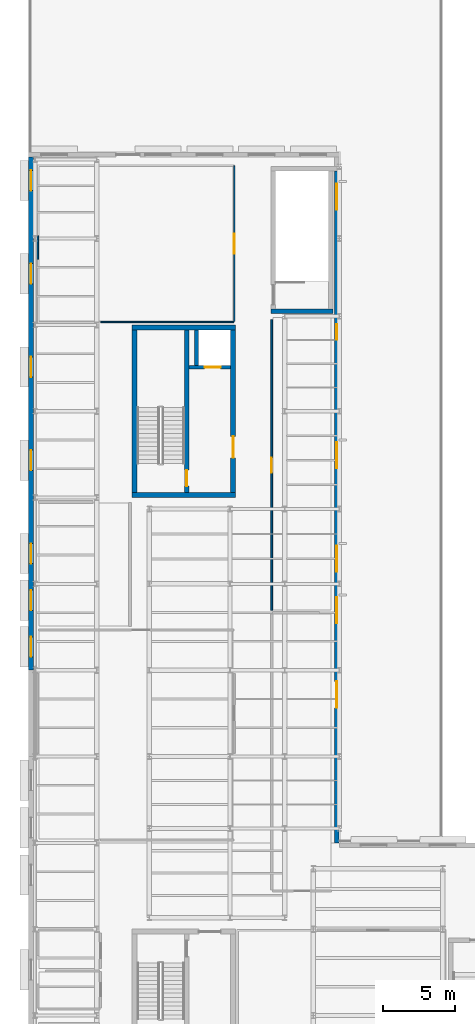
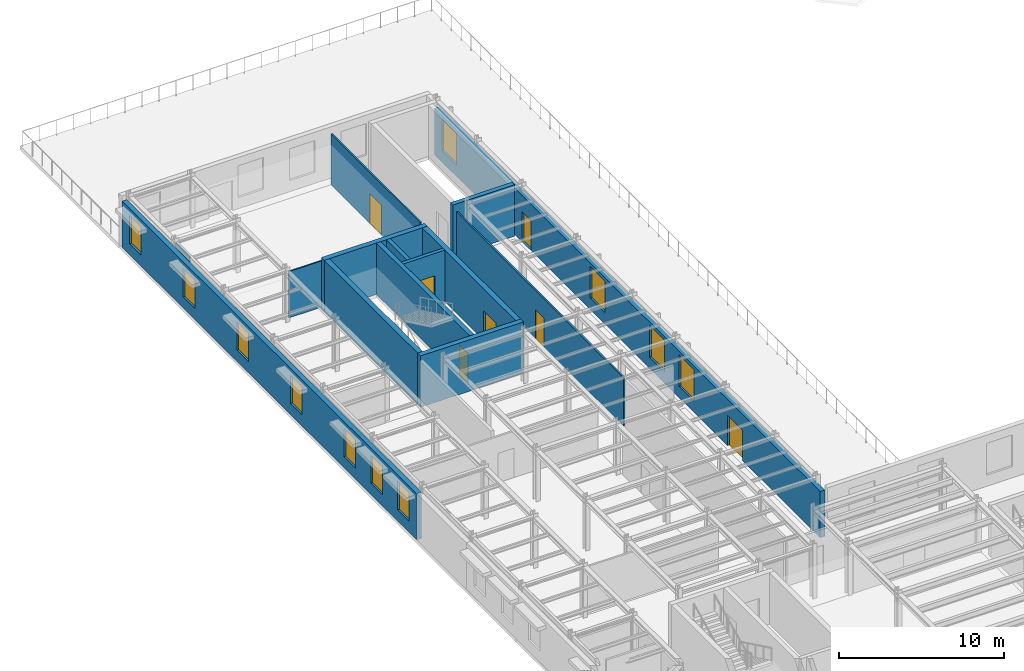
# One storey, part 6 of 13: 14 walls, 11 windows, 7 doors, 18 openings.
"""IFC4 building model written with IfcOpenShell, lengths in metres."""

from ifc_helpers import new_model, si_unit, direction, frame, frame_2d, origin, place, context, subcontext, project, spatial, rectangle, extrude, material, layer, layer_set, type_object, element, fill, save


model = new_model("IFC4")

# Units and contexts
model_context = context("Model", 3, precision=1e-05, world=origin(), true_north=direction((0.0, 1.0)))
body_context = subcontext(model_context, "Body", "Model", "MODEL_VIEW")
ifc_project = project(units=[si_unit("LENGTHUNIT", "METRE"), si_unit("AREAUNIT", "SQUARE_METRE"), si_unit("VOLUMEUNIT", "CUBIC_METRE"), si_unit("PLANEANGLEUNIT", "RADIAN"), si_unit("MASSUNIT", "GRAM", prefix="KILO")], contexts=[model_context])

# Site, building, storey
site_placement = place(None, origin())
site = spatial("IfcSite", under=ifc_project, at=site_placement, CompositionType="ELEMENT")
building_placement = place(site_placement, origin())
building = spatial("IfcBuilding", under=site, at=building_placement, Name="Kolvaren Corner Interchange", CompositionType="ELEMENT")
storey_placement = place(building_placement, frame((0.0, 0.0, 14.699951171875)))
storey = spatial("IfcBuildingStorey", under=building, at=storey_placement, Name="L04", CompositionType="ELEMENT", Elevation=14.699951171875)

# Walls
ifc_material_1 = material(Name="Concrete C35/45", Category="concrete")
ifc_layer_1 = layer(ifc_material_1, 0.35009765625)
ifc_layer_set_1 = layer_set([ifc_layer_1], Name="Concrete C35/45")
wall_type_1 = type_object("IfcWallType", Name="WL-CORE-350", PredefinedType="SHEAR", material=ifc_layer_set_1)
for number, where, z_axis, x_axis, name in (
    (1, (7.199951171875, 48.175048828125, 0.0), (0.0, 0.0, 1.0), (1.0, 0.0, 0.0), "Core C2 L04 South Shear Wall"),
    (2, (7.199951171875, 59.824951171875, 0.0), (0.0, 0.0, 1.0), (1.0, 0.0, 0.0), "Core C2 L04 North Shear Wall"),
):
    element("IfcWall", number, at=place(storey_placement, frame(where, z_axis=z_axis, x_axis=x_axis)), inside=storey, type_object=wall_type_1, Name=name, PredefinedType="SHEAR", context=body_context, shape_type="SweptSolid", body=[
        extrude(rectangle(XDim=7.199951171875, YDim=0.35009765625, at=frame_2d((3.60009765625, 0.0))), origin(), (0.0, 0.0, 1.0), 3.800048828125),
    ])
wall_1_placement = place(storey_placement, frame((7.375, 48.35009765625, 0.0), z_axis=(0.0, 0.0, 1.0), x_axis=(0.0, 1.0, 0.0)))
element("IfcWall", 3, at=wall_1_placement, inside=storey, type_object=wall_type_1, Name="Core C2 L04 West Shear Wall", PredefinedType="SHEAR", context=body_context, shape_type="SweptSolid", body=[
    extrude(rectangle(XDim=11.2998046875, YDim=0.35009765625, at=frame_2d((5.64990234375, 0.0))), origin(), (0.0, 0.0, 1.0), 3.800048828125),
])

# Wall, opening, door
wall_2_placement = place(storey_placement, frame((14.22509765625, 48.35009765625, 0.0), z_axis=(0.0, 0.0, 1.0), x_axis=(0.0, 1.0, 0.0)))
wall_2 = element("IfcWall", 4, at=wall_2_placement, inside=storey, type_object=wall_type_1, Name="Core C2 L04 East Shear Wall", PredefinedType="SHEAR", context=body_context, shape_type="SweptSolid", body=[
    extrude(rectangle(XDim=11.2998046875, YDim=0.35009765625, at=frame_2d((5.64990234375, 0.0))), origin(), (0.0, 0.0, 1.0), 3.800048828125),
])
opening_1_placement = place(wall_2_placement, frame((2.39990234375, 0.0, 0.0)))
opening_1 = element("IfcOpeningElement", 5, at=opening_1_placement, cuts=wall_2, Name="Opening D-F02", PredefinedType="OPENING", context=body_context, shape_type="SweptSolid", body=[
    extrude(rectangle(XDim=1.5, YDim=2.14990234375, at=frame_2d((0.75, 1.074951171875))), frame((0.0, 0.18505859375, 0.0), z_axis=(0.0, -1.0, 0.0), x_axis=(1.0, 0.0, 0.0)), (0.0, 0.0, 1.0), 0.3701171875),
])
ifc_material_2 = material(Name="Powder-coated Fire-rated Steel Sheet", Category="steel")
door_type_1 = type_object("IfcDoorType", Name="DT-FD-1500x2150", OperationType="NOTDEFINED", PredefinedType="DOOR", material=ifc_material_2)
door_1_placement = place(opening_1_placement, origin())
door_1 = element("IfcDoor", 6, at=door_1_placement, inside=storey, type_object=door_type_1, Name="Core C2 L04 Firefighting Lobby Corridor Exit Door", OperationType="DOUBLE_DOOR_SINGLE_SWING", OverallHeight=2.14990234375, OverallWidth=1.5, PredefinedType="DOOR", context=body_context, shape_type="SweptSolid", body=[
    extrude(rectangle(XDim=1.5, YDim=2.14990234375, at=frame_2d((0.75, 1.074951171875))), frame((0.0, 0.02490234375, 0.0), z_axis=(0.0, -1.0, 0.0), x_axis=(1.0, 0.0, 0.0)), (0.0, 0.0, 1.0), 0.050048828125),
])
fill(opening_1, door_1)

ifc_material_3 = material(Name="Concrete C35/45", Category="concrete")
ifc_layer_2 = layer(ifc_material_3, 0.31005859375)
ifc_layer_set_2 = layer_set([ifc_layer_2], Name="Concrete C35/45")
wall_type_2 = type_object("IfcWallType", Name="WL-STAIR-300", PredefinedType="SHEAR", material=ifc_layer_set_2)
wall_3_placement = place(storey_placement, frame((11.0, 48.35009765625, 0.0), z_axis=(0.0, 0.0, 1.0), x_axis=(0.0, 1.0, 0.0)))
wall_3 = element("IfcWall", 7, at=wall_3_placement, inside=storey, type_object=wall_type_2, Name="Core C2 L04 Firefighting Stairwell Divider Wall", PredefinedType="SHEAR", context=body_context, shape_type="SweptSolid", body=[
    extrude(rectangle(XDim=11.2998046875, YDim=0.31005859375, at=frame_2d((5.64990234375, 0.0))), origin(), (0.0, 0.0, 1.0), 3.800048828125),
])
opening_2_placement = place(wall_3_placement, frame((0.449951171875, 0.0, 0.0)))
opening_2 = element("IfcOpeningElement", 8, at=opening_2_placement, cuts=wall_3, Name="Opening D-F03", PredefinedType="OPENING", context=body_context, shape_type="SweptSolid", body=[
    extrude(rectangle(XDim=1.10009765625, YDim=2.14990234375, at=frame_2d((0.550048828125, 1.074951171875))), frame((0.0, 0.1650390625, 0.0), z_axis=(0.0, -1.0, 0.0), x_axis=(1.0, 0.0, 0.0)), (0.0, 0.0, 1.0), 0.330078125),
])
ifc_material_4 = material(Name="Powder-coated Fire-rated Steel Sheet", Category="steel")
door_type_2 = type_object("IfcDoorType", Name="DT-FD-1100x2150", OperationType="NOTDEFINED", PredefinedType="DOOR", material=ifc_material_4)
door_2_placement = place(opening_2_placement, origin())
door_2 = element("IfcDoor", 9, at=door_2_placement, inside=storey, type_object=door_type_2, Name="Core C2 Northwest Firefighting Stair L04 Protected Exit Door", OperationType="SINGLE_SWING_RIGHT", OverallHeight=2.14990234375, OverallWidth=1.10009765625, PredefinedType="DOOR", context=body_context, shape_type="SweptSolid", body=[
    extrude(rectangle(XDim=1.10009765625, YDim=2.14990234375, at=frame_2d((0.550048828125, 1.074951171875))), frame((0.0, 0.02490234375, 0.0), z_axis=(0.0, -1.0, 0.0), x_axis=(1.0, 0.0, 0.0)), (0.0, 0.0, 1.0), 0.050048828125),
])
fill(opening_2, door_2)

# Wall
wall_4_placement = place(storey_placement, frame((16.85009765625, 60.955078125, 0.0), z_axis=(0.0, 0.0, 1.0), x_axis=(1.0, 0.0, 0.0)))
element("IfcWall", 10, at=wall_4_placement, inside=storey, type_object=wall_type_2, Name="Operations North Wing Protected Exit Stair L04 South Enclosure Wall", PredefinedType="SHEAR", context=body_context, shape_type="SweptSolid", body=[
    extrude(rectangle(XDim=4.2998046875, YDim=0.31005859375, at=frame_2d((2.14990234375, 0.0))), origin(), (0.0, 0.0, 1.0), 3.800048828125),
])

# Wall, openings, doors, windows
ifc_material_5 = material(Name="Cream Architectural Terracotta Rainscreen Assembly", Category="masonry")
ifc_layer_3 = layer(ifc_material_5, 0.330078125)
ifc_layer_set_3 = layer_set([ifc_layer_3], Name="Cream Architectural Terracotta Rainscreen Assembly")
wall_type_3 = type_object("IfcWallType", Name="WT-EXT-TC320", PredefinedType="SOLIDWALL", material=ifc_layer_set_3)
wall_5_placement = place(storey_placement, frame((21.429931640625, 24.0, 0.0), z_axis=(0.0, 0.0, 1.0), x_axis=(0.0, 1.0, 0.0)))
wall_5 = element("IfcWall", 11, at=wall_5_placement, inside=storey, type_object=wall_type_3, Name="Level 04 Courtyard Terrace Facade Wall 0043", PredefinedType="SOLIDWALL", context=body_context, shape_type="SweptSolid", body=[
    extrude(rectangle(XDim=46.68994140625, YDim=0.330078125, at=frame_2d((23.344970703125, 0.0))), origin(), (0.0, 0.0, 1.0), 3.4150390625),
])
opening_3_placement = place(wall_5_placement, frame((9.380615234375, 0.0, 0.0)))
opening_3 = element("IfcOpeningElement", 12, at=opening_3_placement, cuts=wall_5, Name="Opening D-E04", PredefinedType="OPENING", context=body_context, shape_type="SweptSolid", body=[
    extrude(rectangle(XDim=1.85009765625, YDim=2.25, at=frame_2d((0.925048828125, 1.125))), frame((0.0, 0.175048828125, 0.0), z_axis=(0.0, -1.0, 0.0), x_axis=(1.0, 0.0, 0.0)), (0.0, 0.0, 1.0), 0.35009765625),
])
opening_4_placement = place(wall_5_placement, frame((34.978271484375, 0.0, 0.0)))
opening_4 = element("IfcOpeningElement", 13, at=opening_4_placement, cuts=wall_5, Name="Opening D-E05", PredefinedType="OPENING", context=body_context, shape_type="SweptSolid", body=[
    extrude(rectangle(XDim=1.080078125, YDim=2.199951171875, at=frame_2d((0.5400390625, 1.10009765625))), frame((0.0, 0.175048828125, 0.0), z_axis=(0.0, -1.0, 0.0), x_axis=(1.0, 0.0, 0.0)), (0.0, 0.0, 1.0), 0.35009765625),
])
opening_5_placement = place(wall_5_placement, frame((15.261962890625, 0.0, 0.820068359375)))
opening_5 = element("IfcOpeningElement", 14, at=opening_5_placement, cuts=wall_5, Name="Opening W-03", PredefinedType="OPENING", context=body_context, shape_type="SweptSolid", body=[
    extrude(rectangle(XDim=1.800048828125, YDim=2.35009765625, at=frame_2d((0.89990234375, 1.175048828125))), frame((0.0, 0.175048828125, 0.0), z_axis=(0.0, -1.0, 0.0), x_axis=(1.0, 0.0, 0.0)), (0.0, 0.0, 1.0), 0.35009765625),
])
opening_6_placement = place(wall_5_placement, frame((18.853515625, 0.0, 0.820068359375)))
opening_6 = element("IfcOpeningElement", 15, at=opening_6_placement, cuts=wall_5, Name="Opening W-03", PredefinedType="OPENING", context=body_context, shape_type="SweptSolid", body=[
    extrude(rectangle(XDim=1.800048828125, YDim=2.35009765625, at=frame_2d((0.89990234375, 1.175048828125))), frame((0.0, 0.175048828125, 0.0), z_axis=(0.0, -1.0, 0.0), x_axis=(1.0, 0.0, 0.0)), (0.0, 0.0, 1.0), 0.35009765625),
])
opening_7_placement = place(wall_5_placement, frame((26.03662109375, 0.0, 0.820068359375)))
opening_7 = element("IfcOpeningElement", 16, at=opening_7_placement, cuts=wall_5, Name="Opening W-03", PredefinedType="OPENING", context=body_context, shape_type="SweptSolid", body=[
    extrude(rectangle(XDim=1.800048828125, YDim=2.35009765625, at=frame_2d((0.89990234375, 1.175048828125))), frame((0.0, 0.175048828125, 0.0), z_axis=(0.0, -1.0, 0.0), x_axis=(1.0, 0.0, 0.0)), (0.0, 0.0, 1.0), 0.35009765625),
])
opening_8_placement = place(wall_5_placement, frame((43.994140625, 0.0, 0.820068359375)))
opening_8 = element("IfcOpeningElement", 17, at=opening_8_placement, cuts=wall_5, Name="Opening W-03", PredefinedType="OPENING", context=body_context, shape_type="SweptSolid", body=[
    extrude(rectangle(XDim=1.800048828125, YDim=2.35009765625, at=frame_2d((0.89990234375, 1.175048828125))), frame((0.0, 0.175048828125, 0.0), z_axis=(0.0, -1.0, 0.0), x_axis=(1.0, 0.0, 0.0)), (0.0, 0.0, 1.0), 0.35009765625),
])
ifc_material_6 = material(Name="Thermally Broken Aluminium Glazed Terrace Door", Category="aluminium")
door_type_3 = type_object("IfcDoorType", Name="DT-TERR-DBL1850", OperationType="NOTDEFINED", PredefinedType="DOOR", material=ifc_material_6)
door_3_placement = place(opening_3_placement, origin())
door_3 = element("IfcDoor", 18, at=door_3_placement, inside=storey, type_object=door_type_3, Name="L04 Courtyard Roof Garden Door 005", OperationType="DOUBLE_DOOR_SINGLE_SWING", OverallHeight=2.25, OverallWidth=1.85009765625, PredefinedType="DOOR", context=body_context, shape_type="SweptSolid", body=[
    extrude(rectangle(XDim=1.85009765625, YDim=2.25, at=frame_2d((0.925048828125, 1.125))), frame((0.0, 0.02490234375, 0.0), z_axis=(0.0, -1.0, 0.0), x_axis=(1.0, 0.0, 0.0)), (0.0, 0.0, 1.0), 0.050048828125),
])
fill(opening_3, door_3)
ifc_material_7 = material(Name="Thermally Broken Aluminium Glazed Terrace Door", Category="aluminium")
door_type_4 = type_object("IfcDoorType", Name="DT-TERR-SGL1080", OperationType="NOTDEFINED", PredefinedType="DOOR", material=ifc_material_7)
door_4_placement = place(opening_4_placement, origin())
door_4 = element("IfcDoor", 19, at=door_4_placement, inside=storey, type_object=door_type_4, Name="L04 Courtyard Terrace North Door 006", OperationType="SINGLE_SWING_LEFT", OverallHeight=2.199951171875, OverallWidth=1.080078125, PredefinedType="DOOR", context=body_context, shape_type="SweptSolid", body=[
    extrude(rectangle(XDim=1.080078125, YDim=2.199951171875, at=frame_2d((0.5400390625, 1.10009765625))), frame((0.0, 0.02490234375, 0.0), z_axis=(0.0, -1.0, 0.0), x_axis=(1.0, 0.0, 0.0)), (0.0, 0.0, 1.0), 0.050048828125),
])
fill(opening_4, door_4)
ifc_material_8 = material(Name="Thermally Broken Aluminium and Solar-Control Double Glazing", Category="aluminium")
window_type_1 = type_object("IfcWindowType", Name="WT-CHI-1800x2400", PartitioningType="DOUBLE_PANEL_VERTICAL", PredefinedType="WINDOW", material=ifc_material_8)
window_1_placement = place(opening_5_placement, origin())
window_1 = element("IfcWindow", 20, at=window_1_placement, inside=storey, type_object=window_type_1, Name="L04 Level 04 Courtyard Terrace Facade Window 0096", OverallHeight=2.35009765625, OverallWidth=1.800048828125, PartitioningType="SINGLE_PANEL", PredefinedType="WINDOW", context=body_context, shape_type="SweptSolid", body=[
    extrude(rectangle(XDim=1.800048828125, YDim=2.35009765625, at=frame_2d((0.89990234375, 1.175048828125))), frame((0.0, 0.030029296875, 0.0), z_axis=(0.0, -1.0, 0.0), x_axis=(1.0, 0.0, 0.0)), (0.0, 0.0, 1.0), 0.06005859375),
])
fill(opening_5, window_1)
window_2_placement = place(opening_6_placement, origin())
window_2 = element("IfcWindow", 21, at=window_2_placement, inside=storey, type_object=window_type_1, Name="L04 Level 04 Courtyard Terrace Facade Window 0097", OverallHeight=2.35009765625, OverallWidth=1.800048828125, PartitioningType="SINGLE_PANEL", PredefinedType="WINDOW", context=body_context, shape_type="SweptSolid", body=[
    extrude(rectangle(XDim=1.800048828125, YDim=2.35009765625, at=frame_2d((0.89990234375, 1.175048828125))), frame((0.0, 0.030029296875, 0.0), z_axis=(0.0, -1.0, 0.0), x_axis=(1.0, 0.0, 0.0)), (0.0, 0.0, 1.0), 0.06005859375),
])
fill(opening_6, window_2)
window_3_placement = place(opening_7_placement, origin())
window_3 = element("IfcWindow", 22, at=window_3_placement, inside=storey, type_object=window_type_1, Name="L04 Level 04 Courtyard Terrace Facade Window 0098", OverallHeight=2.35009765625, OverallWidth=1.800048828125, PartitioningType="SINGLE_PANEL", PredefinedType="WINDOW", context=body_context, shape_type="SweptSolid", body=[
    extrude(rectangle(XDim=1.800048828125, YDim=2.35009765625, at=frame_2d((0.89990234375, 1.175048828125))), frame((0.0, 0.030029296875, 0.0), z_axis=(0.0, -1.0, 0.0), x_axis=(1.0, 0.0, 0.0)), (0.0, 0.0, 1.0), 0.06005859375),
])
fill(opening_7, window_3)
window_4_placement = place(opening_8_placement, origin())
window_4 = element("IfcWindow", 23, at=window_4_placement, inside=storey, type_object=window_type_1, Name="L04 Level 04 Courtyard Terrace Facade Window 0099", OverallHeight=2.35009765625, OverallWidth=1.800048828125, PartitioningType="SINGLE_PANEL", PredefinedType="WINDOW", context=body_context, shape_type="SweptSolid", body=[
    extrude(rectangle(XDim=1.800048828125, YDim=2.35009765625, at=frame_2d((0.89990234375, 1.175048828125))), frame((0.0, 0.030029296875, 0.0), z_axis=(0.0, -1.0, 0.0), x_axis=(1.0, 0.0, 0.0)), (0.0, 0.0, 1.0), 0.06005859375),
])
fill(opening_8, window_4)

# Wall, openings, windows
wall_6_placement = place(storey_placement, frame((0.169921875, 71.659912109375, 0.0), z_axis=(0.0, 0.0, 1.0), x_axis=(0.0, -1.0, 0.0)))
wall_6 = element("IfcWall", 24, at=wall_6_placement, inside=storey, type_object=wall_type_3, Name="Operations Trelmava Street West Facade Wall 0046", PredefinedType="SOLIDWALL", context=body_context, shape_type="SweptSolid", body=[
    extrude(rectangle(XDim=35.659912109375, YDim=0.330078125, at=frame_2d((17.830078125, 0.0))), origin(), (0.0, 0.0, 1.0), 3.4150390625),
])
opening_9_placement = place(wall_6_placement, frame((0.9208984375, 0.0, 0.820068359375)))
opening_9 = element("IfcOpeningElement", 25, at=opening_9_placement, cuts=wall_6, Name="Opening W-14", PredefinedType="OPENING", context=body_context, shape_type="SweptSolid", body=[
    extrude(rectangle(XDim=1.39990234375, YDim=2.10009765625, at=frame_2d((0.699951171875, 1.050048828125))), frame((0.0, 0.175048828125, 0.0), z_axis=(0.0, -1.0, 0.0), x_axis=(1.0, 0.0, 0.0)), (0.0, 0.0, 1.0), 0.35009765625),
])
opening_10_placement = place(wall_6_placement, frame((7.404541015625, 0.0, 0.820068359375)))
opening_10 = element("IfcOpeningElement", 26, at=opening_10_placement, cuts=wall_6, Name="Opening W-14", PredefinedType="OPENING", context=body_context, shape_type="SweptSolid", body=[
    extrude(rectangle(XDim=1.39990234375, YDim=2.10009765625, at=frame_2d((0.699951171875, 1.050048828125))), frame((0.0, 0.175048828125, 0.0), z_axis=(0.0, -1.0, 0.0), x_axis=(1.0, 0.0, 0.0)), (0.0, 0.0, 1.0), 0.35009765625),
])
opening_11_placement = place(wall_6_placement, frame((13.88818359375, 0.0, 0.820068359375)))
opening_11 = element("IfcOpeningElement", 27, at=opening_11_placement, cuts=wall_6, Name="Opening W-14", PredefinedType="OPENING", context=body_context, shape_type="SweptSolid", body=[
    extrude(rectangle(XDim=1.39990234375, YDim=2.10009765625, at=frame_2d((0.699951171875, 1.050048828125))), frame((0.0, 0.175048828125, 0.0), z_axis=(0.0, -1.0, 0.0), x_axis=(1.0, 0.0, 0.0)), (0.0, 0.0, 1.0), 0.35009765625),
])
opening_12_placement = place(wall_6_placement, frame((20.371826171875, 0.0, 0.820068359375)))
opening_12 = element("IfcOpeningElement", 28, at=opening_12_placement, cuts=wall_6, Name="Opening W-14", PredefinedType="OPENING", context=body_context, shape_type="SweptSolid", body=[
    extrude(rectangle(XDim=1.39990234375, YDim=2.10009765625, at=frame_2d((0.699951171875, 1.050048828125))), frame((0.0, 0.175048828125, 0.0), z_axis=(0.0, -1.0, 0.0), x_axis=(1.0, 0.0, 0.0)), (0.0, 0.0, 1.0), 0.35009765625),
])
opening_13_placement = place(wall_6_placement, frame((26.85546875, 0.0, 0.820068359375)))
opening_13 = element("IfcOpeningElement", 29, at=opening_13_placement, cuts=wall_6, Name="Opening W-14", PredefinedType="OPENING", context=body_context, shape_type="SweptSolid", body=[
    extrude(rectangle(XDim=1.39990234375, YDim=2.10009765625, at=frame_2d((0.699951171875, 1.050048828125))), frame((0.0, 0.175048828125, 0.0), z_axis=(0.0, -1.0, 0.0), x_axis=(1.0, 0.0, 0.0)), (0.0, 0.0, 1.0), 0.35009765625),
])
opening_14_placement = place(wall_6_placement, frame((30.097412109375, 0.0, 0.820068359375)))
opening_14 = element("IfcOpeningElement", 30, at=opening_14_placement, cuts=wall_6, Name="Opening W-14", PredefinedType="OPENING", context=body_context, shape_type="SweptSolid", body=[
    extrude(rectangle(XDim=1.39990234375, YDim=2.10009765625, at=frame_2d((0.699951171875, 1.050048828125))), frame((0.0, 0.175048828125, 0.0), z_axis=(0.0, -1.0, 0.0), x_axis=(1.0, 0.0, 0.0)), (0.0, 0.0, 1.0), 0.35009765625),
])
opening_15_placement = place(wall_6_placement, frame((33.339111328125, 0.0, 0.820068359375)))
opening_15 = element("IfcOpeningElement", 31, at=opening_15_placement, cuts=wall_6, Name="Opening W-14", PredefinedType="OPENING", context=body_context, shape_type="SweptSolid", body=[
    extrude(rectangle(XDim=1.39990234375, YDim=2.10009765625, at=frame_2d((0.699951171875, 1.050048828125))), frame((0.0, 0.175048828125, 0.0), z_axis=(0.0, -1.0, 0.0), x_axis=(1.0, 0.0, 0.0)), (0.0, 0.0, 1.0), 0.35009765625),
])
ifc_material_9 = material(Name="Thermally Broken Aluminium and Solar-Control Double Glazing", Category="aluminium")
window_type_2 = type_object("IfcWindowType", Name="WT-CHI-1400x2100", PartitioningType="SINGLE_PANEL", PredefinedType="WINDOW", material=ifc_material_9)
window_5_placement = place(opening_9_placement, origin())
window_5 = element("IfcWindow", 32, at=window_5_placement, inside=storey, type_object=window_type_2, Name="L04 Operations Trelmava Street West Facade Window 0105", OverallHeight=2.10009765625, OverallWidth=1.39990234375, PartitioningType="SINGLE_PANEL", PredefinedType="WINDOW", context=body_context, shape_type="SweptSolid", body=[
    extrude(rectangle(XDim=1.39990234375, YDim=2.10009765625, at=frame_2d((0.699951171875, 1.050048828125))), frame((0.0, 0.030029296875, 0.0), z_axis=(0.0, -1.0, 0.0), x_axis=(1.0, 0.0, 0.0)), (0.0, 0.0, 1.0), 0.06005859375),
])
fill(opening_9, window_5)
window_6_placement = place(opening_10_placement, origin())
window_6 = element("IfcWindow", 33, at=window_6_placement, inside=storey, type_object=window_type_2, Name="L04 Operations Trelmava Street West Facade Window 0106", OverallHeight=2.10009765625, OverallWidth=1.39990234375, PartitioningType="SINGLE_PANEL", PredefinedType="WINDOW", context=body_context, shape_type="SweptSolid", body=[
    extrude(rectangle(XDim=1.39990234375, YDim=2.10009765625, at=frame_2d((0.699951171875, 1.050048828125))), frame((0.0, 0.030029296875, 0.0), z_axis=(0.0, -1.0, 0.0), x_axis=(1.0, 0.0, 0.0)), (0.0, 0.0, 1.0), 0.06005859375),
])
fill(opening_10, window_6)
window_7_placement = place(opening_11_placement, origin())
window_7 = element("IfcWindow", 34, at=window_7_placement, inside=storey, type_object=window_type_2, Name="L04 Operations Trelmava Street West Facade Window 0107", OverallHeight=2.10009765625, OverallWidth=1.39990234375, PartitioningType="SINGLE_PANEL", PredefinedType="WINDOW", context=body_context, shape_type="SweptSolid", body=[
    extrude(rectangle(XDim=1.39990234375, YDim=2.10009765625, at=frame_2d((0.699951171875, 1.050048828125))), frame((0.0, 0.030029296875, 0.0), z_axis=(0.0, -1.0, 0.0), x_axis=(1.0, 0.0, 0.0)), (0.0, 0.0, 1.0), 0.06005859375),
])
fill(opening_11, window_7)
window_8_placement = place(opening_12_placement, origin())
window_8 = element("IfcWindow", 35, at=window_8_placement, inside=storey, type_object=window_type_2, Name="L04 Operations Trelmava Street West Facade Window 0108", OverallHeight=2.10009765625, OverallWidth=1.39990234375, PartitioningType="SINGLE_PANEL", PredefinedType="WINDOW", context=body_context, shape_type="SweptSolid", body=[
    extrude(rectangle(XDim=1.39990234375, YDim=2.10009765625, at=frame_2d((0.699951171875, 1.050048828125))), frame((0.0, 0.030029296875, 0.0), z_axis=(0.0, -1.0, 0.0), x_axis=(1.0, 0.0, 0.0)), (0.0, 0.0, 1.0), 0.06005859375),
])
fill(opening_12, window_8)
window_9_placement = place(opening_13_placement, origin())
window_9 = element("IfcWindow", 36, at=window_9_placement, inside=storey, type_object=window_type_2, Name="L04 Operations Trelmava Street West Facade Window 0109", OverallHeight=2.10009765625, OverallWidth=1.39990234375, PartitioningType="SINGLE_PANEL", PredefinedType="WINDOW", context=body_context, shape_type="SweptSolid", body=[
    extrude(rectangle(XDim=1.39990234375, YDim=2.10009765625, at=frame_2d((0.699951171875, 1.050048828125))), frame((0.0, 0.030029296875, 0.0), z_axis=(0.0, -1.0, 0.0), x_axis=(1.0, 0.0, 0.0)), (0.0, 0.0, 1.0), 0.06005859375),
])
fill(opening_13, window_9)
window_10_placement = place(opening_14_placement, origin())
window_10 = element("IfcWindow", 37, at=window_10_placement, inside=storey, type_object=window_type_2, Name="L04 Operations Trelmava Street West Facade Window 0110", OverallHeight=2.10009765625, OverallWidth=1.39990234375, PartitioningType="SINGLE_PANEL", PredefinedType="WINDOW", context=body_context, shape_type="SweptSolid", body=[
    extrude(rectangle(XDim=1.39990234375, YDim=2.10009765625, at=frame_2d((0.699951171875, 1.050048828125))), frame((0.0, 0.030029296875, 0.0), z_axis=(0.0, -1.0, 0.0), x_axis=(1.0, 0.0, 0.0)), (0.0, 0.0, 1.0), 0.06005859375),
])
fill(opening_14, window_10)
window_11_placement = place(opening_15_placement, origin())
window_11 = element("IfcWindow", 38, at=window_11_placement, inside=storey, type_object=window_type_2, Name="L04 Operations Trelmava Street West Facade Window 0111", OverallHeight=2.10009765625, OverallWidth=1.39990234375, PartitioningType="SINGLE_PANEL", PredefinedType="WINDOW", context=body_context, shape_type="SweptSolid", body=[
    extrude(rectangle(XDim=1.39990234375, YDim=2.10009765625, at=frame_2d((0.699951171875, 1.050048828125))), frame((0.0, 0.030029296875, 0.0), z_axis=(0.0, -1.0, 0.0), x_axis=(1.0, 0.0, 0.0)), (0.0, 0.0, 1.0), 0.06005859375),
])
fill(opening_15, window_11)

# Wall
ifc_material_10 = material(Name="Framed Acoustic Glazed Office Screen")
ifc_layer_4 = layer(ifc_material_10, 0.10009765625)
ifc_layer_set_4 = layer_set([ifc_layer_4], Name="Framed Acoustic Glazed Office Screen")
wall_type_4 = type_object("IfcWallType", Name="WT-PART-GL100", PredefinedType="MOVABLE", material=ifc_layer_set_4)
wall_7_placement = place(storey_placement, frame((5.010009765625, 60.199951171875, 0.0), z_axis=(0.0, 0.0, 1.0), x_axis=(1.0, 0.0, 0.0)))
element("IfcWall", 39, at=wall_7_placement, inside=storey, type_object=wall_type_4, Name="L04 Courtyard Terrace Staff Lounge Partition Wall 168", PredefinedType="MOVABLE", context=body_context, shape_type="SweptSolid", body=[
    extrude(rectangle(XDim=9.239990234375, YDim=0.10009765625, at=frame_2d((4.6201171875, 0.0))), origin(), (0.0, 0.0, 1.0), 3.4150390625),
])

# Wall, opening, door
wall_8_placement = place(storey_placement, frame((14.300048828125, 60.251953125, 0.0), z_axis=(0.0, 0.0, 1.0), x_axis=(0.0, 1.0, 0.0)))
wall_8 = element("IfcWall", 40, at=wall_8_placement, inside=storey, type_object=wall_type_4, Name="L04 Courtyard Terrace Staff Lounge Partition Wall 169", PredefinedType="MOVABLE", context=body_context, shape_type="SweptSolid", body=[
    extrude(rectangle(XDim=10.798095703125, YDim=0.10009765625, at=frame_2d((5.39892578125, 0.0))), origin(), (0.0, 0.0, 1.0), 3.760009765625),
])
opening_16_placement = place(wall_8_placement, frame((4.698974609375, 0.0, 0.0)))
opening_16 = element("IfcOpeningElement", 41, at=opening_16_placement, cuts=wall_8, Name="Opening D-I06", PredefinedType="OPENING", context=body_context, shape_type="SweptSolid", body=[
    extrude(rectangle(XDim=1.39990234375, YDim=2.199951171875, at=frame_2d((0.699951171875, 1.10009765625))), frame((0.0, 0.06005859375, 0.0), z_axis=(0.0, -1.0, 0.0), x_axis=(1.0, 0.0, 0.0)), (0.0, 0.0, 1.0), 0.1201171875),
])
ifc_material_11 = material(Name="Anodised Aluminium Glazed Suite Door", Category="aluminium")
door_type_5 = type_object("IfcDoorType", Name="DT-INT-1400x2200", OperationType="NOTDEFINED", PredefinedType="DOOR", material=ifc_material_11)
door_5_placement = place(opening_16_placement, origin())
door_5 = element("IfcDoor", 42, at=door_5_placement, inside=storey, type_object=door_type_5, Name="L04 Courtyard Terrace Staff Lounge Door", OperationType="DOUBLE_DOOR_SINGLE_SWING", OverallHeight=2.199951171875, OverallWidth=1.39990234375, PredefinedType="DOOR", context=body_context, shape_type="SweptSolid", body=[
    extrude(rectangle(XDim=1.39990234375, YDim=2.199951171875, at=frame_2d((0.699951171875, 1.10009765625))), frame((0.0, 0.02490234375, 0.0), z_axis=(0.0, -1.0, 0.0), x_axis=(1.0, 0.0, 0.0)), (0.0, 0.0, 1.0), 0.050048828125),
])
fill(opening_16, door_5)

# Wall
wall_9_placement = place(storey_placement, frame((0.64990234375, 66.195068359375, 0.0), z_axis=(0.0, 0.0, 1.0), x_axis=(0.0, -1.0, 0.0)))
element("IfcWall", 43, at=wall_9_placement, inside=storey, type_object=wall_type_4, Name="L04 Courtyard Terrace Staff Lounge Partition Wall 170", PredefinedType="MOVABLE", context=body_context, shape_type="SweptSolid", body=[
    extrude(rectangle(XDim=1.6396484375, YDim=0.10009765625, at=frame_2d((0.81982421875, 0.0))), origin(), (0.0, 0.0, 1.0), 3.4150390625),
])

# Wall, opening, door
ifc_material_12 = material(Name="Standard Metal-Stud Drywall Partition")
ifc_layer_5 = layer(ifc_material_12, 0.1201171875)
ifc_layer_set_5 = layer_set([ifc_layer_5], Name="Standard Metal-Stud Drywall Partition")
wall_type_5 = type_object("IfcWallType", Name="WT-PART-ST125", PredefinedType="PARTITIONING", material=ifc_layer_set_5)
wall_10_placement = place(storey_placement, frame((16.89990234375, 60.360107421875, 0.0), z_axis=(0.0, 0.0, 1.0), x_axis=(0.0, -1.0, 0.0)))
wall_10 = element("IfcWall", 44, at=wall_10_placement, inside=storey, type_object=wall_type_5, Name="L04 Signalling Maintenance Workshop Lab Partition Wall 161", PredefinedType="PARTITIONING", context=body_context, shape_type="SweptSolid", body=[
    extrude(rectangle(XDim=20.210205078125, YDim=0.1201171875, at=frame_2d((10.10498046875, 0.0))), origin(), (0.0, 0.0, 1.0), 3.574951171875),
])
opening_17_placement = place(wall_10_placement, frame((9.580078125, 0.0, 0.0)))
opening_17 = element("IfcOpeningElement", 45, at=opening_17_placement, cuts=wall_10, Name="Opening D-I02", PredefinedType="OPENING", context=body_context, shape_type="SweptSolid", body=[
    extrude(rectangle(XDim=1.050048828125, YDim=2.14990234375, at=frame_2d((0.52490234375, 1.074951171875))), frame((0.0, 0.070068359375, 0.0), z_axis=(0.0, -1.0, 0.0), x_axis=(1.0, 0.0, 0.0)), (0.0, 0.0, 1.0), 0.14013671875),
])
ifc_material_13 = material(Name="Solid-Core Iroko Timber Door", Category="wood")
door_type_6 = type_object("IfcDoorType", Name="DT-INT-1050x2150", OperationType="NOTDEFINED", PredefinedType="DOOR", material=ifc_material_13)
door_6_placement = place(opening_17_placement, origin())
door_6 = element("IfcDoor", 46, at=door_6_placement, inside=storey, type_object=door_type_6, Name="L04 Signalling Maintenance Workshop Lab Door", OperationType="SINGLE_SWING_RIGHT", OverallHeight=2.14990234375, OverallWidth=1.050048828125, PredefinedType="DOOR", context=body_context, shape_type="SweptSolid", body=[
    extrude(rectangle(XDim=1.050048828125, YDim=2.14990234375, at=frame_2d((0.52490234375, 1.074951171875))), frame((0.0, 0.02490234375, 0.0), z_axis=(0.0, -1.0, 0.0), x_axis=(1.0, 0.0, 0.0)), (0.0, 0.0, 1.0), 0.050048828125),
])
fill(opening_17, door_6)

ifc_material_14 = material(Name="Concrete C35/45", Category="concrete")
ifc_layer_6 = layer(ifc_material_14, 0.25)
ifc_layer_set_6 = layer_set([ifc_layer_6], Name="Concrete C35/45")
wall_type_6 = type_object("IfcWallType", Name="WT-SHAFT-RC250", PredefinedType="SHEAR", material=ifc_layer_set_6)
wall_11_placement = place(storey_placement, frame((11.155029296875, 57.050048828125, 0.0), z_axis=(0.0, 0.0, 1.0), x_axis=(1.0, 0.0, 0.0)))
wall_11 = element("IfcWall", 47, at=wall_11_placement, inside=storey, type_object=wall_type_6, Name="Core C2 L04 Firefighting Lift Front Shaft Wall", PredefinedType="SHEAR", context=body_context, shape_type="SweptSolid", body=[
    extrude(rectangle(XDim=2.89501953125, YDim=0.25, at=frame_2d((1.447509765625, 0.0))), origin(), (0.0, 0.0, 1.0), 3.800048828125),
])
opening_18_placement = place(wall_11_placement, frame((1.0849609375, 0.0, 0.0)))
opening_18 = element("IfcOpeningElement", 48, at=opening_18_placement, cuts=wall_11, Name="Opening LD-LF-FF2-L04", PredefinedType="OPENING", context=body_context, shape_type="SweptSolid", body=[
    extrude(rectangle(XDim=1.1201171875, YDim=2.14990234375, at=frame_2d((0.56005859375, 1.074951171875))), frame((0.0, 0.135009765625, 0.0), z_axis=(0.0, -1.0, 0.0), x_axis=(1.0, 0.0, 0.0)), (0.0, 0.0, 1.0), 0.27001953125),
])
ifc_material_15 = material(Name="Brushed Stainless Steel Landing Door", Category="steel")
door_type_7 = type_object("IfcDoorType", Name="DT-LIFT-1120", OperationType="NOTDEFINED", PredefinedType="DOOR", material=ifc_material_15)
door_7_placement = place(opening_18_placement, origin())
door_7 = element("IfcDoor", 49, at=door_7_placement, inside=storey, type_object=door_type_7, Name="Firefighting Lift LF-FF2 L04 Sliding Landing Door", OperationType="SLIDING_TO_LEFT", OverallHeight=2.14990234375, OverallWidth=1.1201171875, PredefinedType="DOOR", context=body_context, shape_type="SweptSolid", body=[
    extrude(rectangle(XDim=1.1201171875, YDim=2.14990234375, at=frame_2d((0.56005859375, 1.074951171875))), frame((0.0, 0.02490234375, 0.0), z_axis=(0.0, -1.0, 0.0), x_axis=(1.0, 0.0, 0.0)), (0.0, 0.0, 1.0), 0.050048828125),
])
fill(opening_18, door_7)

# Wall
wall_12_placement = place(storey_placement, frame((11.675048828125, 57.175048828125, 0.0), z_axis=(0.0, 0.0, 1.0), x_axis=(0.0, 1.0, 0.0)))
element("IfcWall", 50, at=wall_12_placement, inside=storey, type_object=wall_type_6, Name="Core C2 L04 Firefighting Lift Side Shaft Wall", PredefinedType="SHEAR", context=body_context, shape_type="SweptSolid", body=[
    extrude(rectangle(XDim=2.474853515625, YDim=0.25, at=frame_2d((1.2373046875, 0.0))), origin(), (0.0, 0.0, 1.0), 3.800048828125),
])

save(model, "model.ifc")
